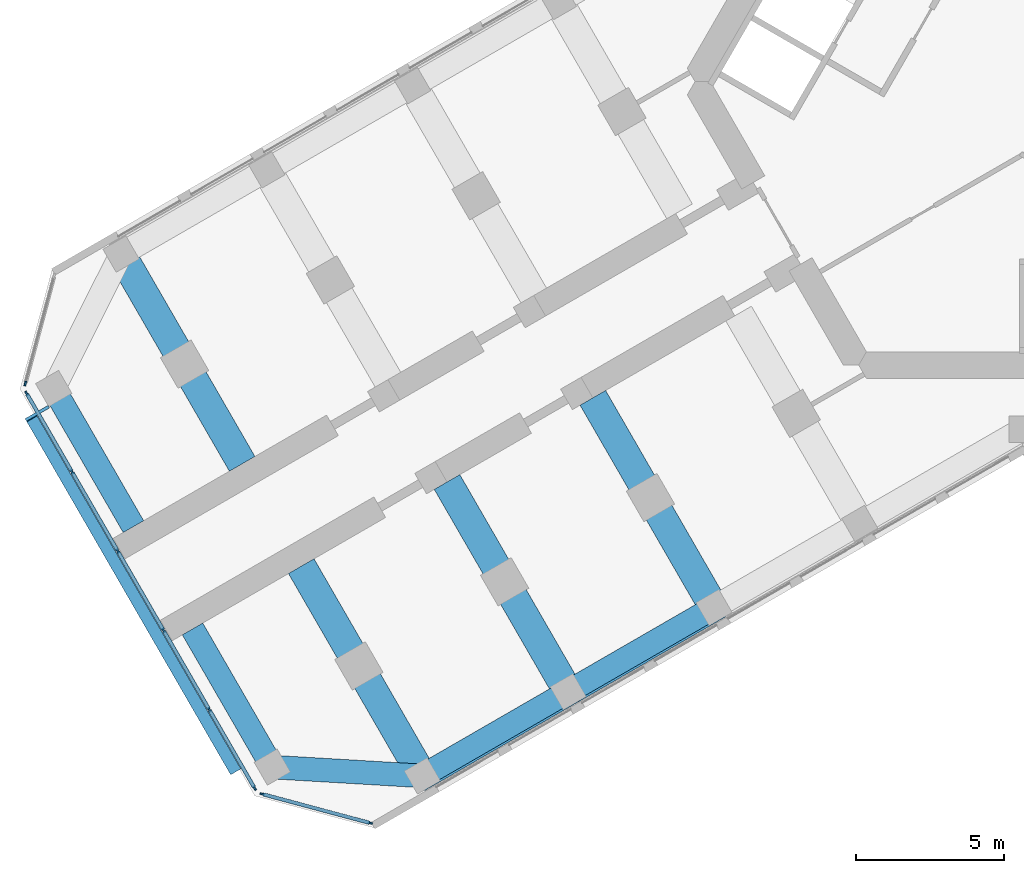
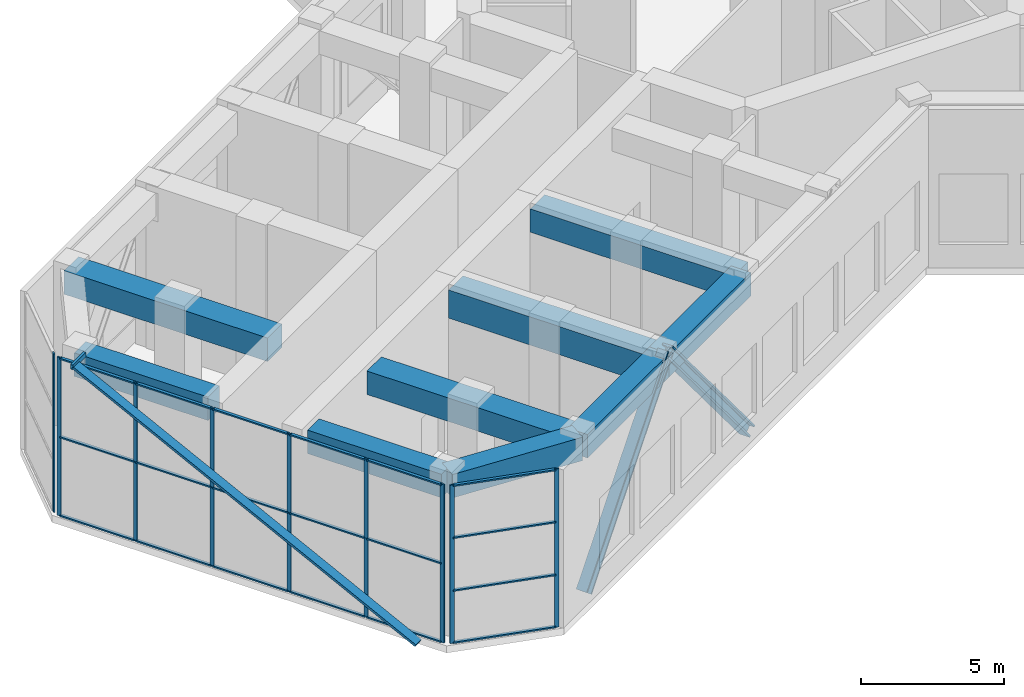
# One storey, part 2 of 15: 32 members, 9 beams, 3 elements without a shape of their own.
"""IFC4 building model written with IfcOpenShell, lengths in metres."""

from ifc_helpers import new_model, si_unit, direction, frame, origin, origin_2d, place, context, subcontext, project, spatial, rectangle, hollow_rectangle, i_section, extrude, material, material_profile, profile_set, type_object, element, aggregate, save


model = new_model("IFC4")

# Units and contexts
model_context = context("Model", 3, precision=1e-05, world=origin(), true_north=direction((0.0, 1.0)))
body_context = subcontext(model_context, "Body", "Model", "MODEL_VIEW")
ifc_project = project(units=[si_unit("LENGTHUNIT", "METRE"), si_unit("AREAUNIT", "SQUARE_METRE"), si_unit("VOLUMEUNIT", "CUBIC_METRE"), si_unit("PLANEANGLEUNIT", "RADIAN"), si_unit("MASSUNIT", "GRAM", prefix="KILO")], contexts=[model_context])

# Site, building, storey
site_placement = place(None, origin())
site = spatial("IfcSite", under=ifc_project, at=site_placement, CompositionType="ELEMENT")
building_placement = place(site_placement, origin())
building = spatial("IfcBuilding", under=site, at=building_placement, Name="Kosmar Iwan School Tower", CompositionType="ELEMENT")
storey_placement = place(building_placement, frame((0.0, 0.0, 186.800048828125)))
storey = spatial("IfcBuildingStorey", under=building, at=storey_placement, Name="L47", CompositionType="ELEMENT", Elevation=186.800048828125)

# Members
ifc_material_1 = material(Name="Steel S355", Category="steel")
ifc_material_profile_1 = material_profile(ifc_material_1, i_section(OverallWidth=0.424072265625, OverallDepth=0.47412109375, WebThickness=0.047607421875, FlangeThickness=0.0771484375, FilletRadius=0.014892578125, at=origin_2d()), Name="HD 400x634")
ifc_profile_set_1 = profile_set([ifc_material_profile_1], Name="Steel S355")
member_type_1 = type_object("IfcMemberType", Name="Belt truss diagonal HD 400x634", PredefinedType="BRACE", material=ifc_profile_set_1)
member_1_placement = place(storey_placement, frame((-10.316162109375, -18.031982421875, 0.0), z_axis=(-0.555216167519, -0.320541981475, 0.767455435473), x_axis=(0.49998570155, -0.866033658841, 0.0)))
element("IfcMember", 1, at=member_1_placement, inside=storey, type_object=member_type_1, Name="Belt truss diagonal BL3", PredefinedType="BRACE", context=body_context, shape_type="SweptSolid", body=[
    extrude(i_section(OverallWidth=0.424072265625, OverallDepth=0.47412109375, WebThickness=0.047607421875, FlangeThickness=0.0771484375, FilletRadius=0.014892578125, at=origin_2d()), origin(), (0.0, 0.0, 1.0), 8.890625),
])
member_2_placement = place(storey_placement, frame((-15.25244140625, -20.8818359375, 6.8232421875), z_axis=(-0.555230274968, -0.320561732442, -0.767436979466), x_axis=(0.499999279071, -0.866025820012, 0.0)))
element("IfcMember", 2, at=member_2_placement, inside=storey, type_object=member_type_1, Name="Belt truss diagonal BL4", PredefinedType="BRACE", context=body_context, shape_type="SweptSolid", body=[
    extrude(i_section(OverallWidth=0.424072265625, OverallDepth=0.47412109375, WebThickness=0.047607421875, FlangeThickness=0.0771484375, FilletRadius=0.014892578125, at=origin_2d()), origin(), (0.0, 0.0, 1.0), 8.890869140625),
])

# Beams
ifc_material_2 = material(Name="Concrete C50/60", Category="concrete")
ifc_material_profile_2 = material_profile(ifc_material_2, rectangle(XDim=0.800048828125, YDim=1.0, at=origin_2d()), Name="RC 800x1000 + HD 400x634")
ifc_profile_set_2 = profile_set([ifc_material_profile_2], Name="Concrete C50/60")
beam_type_1 = type_object("IfcBeamType", Name="Composite edge beam 800x1000 HD 400x634", PredefinedType="BEAM", material=ifc_profile_set_2)
beam_1_placement = place(storey_placement, frame((-10.445068359375, -17.808349609375, 6.25), z_axis=(-0.866025820012, -0.499999279071, 0.0), x_axis=(0.499999279071, -0.866025820012, 0.0)))
element("IfcBeam", 3, at=beam_1_placement, inside=storey, type_object=beam_type_1, Name="Edge beam BL3", PredefinedType="BEAM", context=body_context, shape_type="SweptSolid", body=[
    extrude(rectangle(XDim=0.800048828125, YDim=1.0, at=origin_2d()), origin(), (0.0, 0.0, 1.0), 5.7001953125),
])
beam_2_placement = place(storey_placement, frame((-15.381591796875, -20.658447265625, 6.25), z_axis=(-0.866015111908, -0.50001782563, 0.0), x_axis=(0.50001782563, -0.866015111908, 0.0)))
element("IfcBeam", 4, at=beam_2_placement, inside=storey, type_object=beam_type_1, Name="Edge beam BL4", PredefinedType="BEAM", context=body_context, shape_type="SweptSolid", body=[
    extrude(rectangle(XDim=0.800048828125, YDim=1.0, at=origin_2d()), origin(), (0.0, 0.0, 1.0), 5.699951171875),
])
ifc_material_3 = material(Name="Concrete C50/60", Category="concrete")
ifc_material_profile_3 = material_profile(ifc_material_3, rectangle(XDim=1.0, YDim=1.199951171875, at=origin_2d()), Name="RC 1000x1200 + HD 400x634")
ifc_profile_set_3 = profile_set([ifc_material_profile_3], Name="Concrete C50/60")
beam_type_2 = type_object("IfcBeamType", Name="Composite transfer beam 1000x1200 HD 400x634", PredefinedType="BEAM", material=ifc_profile_set_3)
beam_3_placement = place(storey_placement, frame((-15.381591796875, -20.658447265625, 6.14990234375), z_axis=(-0.49999135188, 0.866030396721, 0.0), x_axis=(-0.866030396721, -0.49999135188, 0.0)))
element("IfcBeam", 5, at=beam_3_placement, inside=storey, type_object=beam_type_2, Name="Transfer beam BL3", PredefinedType="BEAM", context=body_context, shape_type="SweptSolid", body=[
    extrude(rectangle(XDim=1.0, YDim=1.199951171875, at=origin_2d()), origin(), (0.0, 0.0, 1.0), 8.199951171875),
])
ifc_material_4 = material(Name="Concrete C50/60", Category="concrete")
ifc_material_profile_4 = material_profile(ifc_material_4, rectangle(XDim=1.0, YDim=1.0, at=origin_2d()), Name="RC 1000x1000 + HD 400x347")
ifc_profile_set_4 = profile_set([ifc_material_profile_4], Name="Concrete C50/60")
beam_type_3 = type_object("IfcBeamType", Name="Composite transverse beam 1000x1000 HD 400x347", PredefinedType="BEAM", material=ifc_profile_set_4)
for number, where, z_axis, x_axis, name in (
    (6, (-10.445068359375, -17.808349609375, 6.25), (-0.500013681986, 0.866017504342, 0.0), (-0.866017504342, -0.500013681986, 0.0), "Transverse beam BL2"),
    (7, (-20.31787109375, -23.508544921875, 6.25), (-0.499978459874, 0.866037839625, 0.0), (-0.866037839625, -0.499978459874, 0.0), "Transverse beam BL4"),
    (8, (-30.517822265625, -5.841552734375, 6.25), (0.500013681986, -0.866017504342, 0.0), (0.866017504342, 0.500013681986, 0.0), "Transverse beam BR4"),
):
    element("IfcBeam", number, at=place(storey_placement, frame(where, z_axis=z_axis, x_axis=x_axis)), inside=storey, type_object=beam_type_3, Name=name, PredefinedType="BEAM", context=body_context, shape_type="SweptSolid", body=[
        extrude(rectangle(XDim=1.0, YDim=1.0, at=origin_2d()), origin(), (0.0, 0.0, 1.0), 8.199951171875),
    ])

# Members
ifc_material_5 = material(Name="Black anodised aluminium", Category="aluminium")
ifc_material_profile_5 = material_profile(ifc_material_5, rectangle(XDim=0.10009765625, YDim=0.39990234375, at=origin_2d()), Name="FIN 100x400")
ifc_profile_set_5 = profile_set([ifc_material_profile_5], Name="Black anodised aluminium")
member_type_2 = type_object("IfcMemberType", Name="Diagonal fin 100x400", PredefinedType="USERDEFINED", material=ifc_profile_set_5)
member_3_placement = place(storey_placement, frame((-26.645263671875, -23.34912109375, -0.150146484375), z_axis=(-0.445884805648, 0.772309410313, 0.452465374183), x_axis=(0.226229551412, -0.391848318744, 0.891781971765)))
element("IfcMember", 9, at=member_3_placement, inside=storey, type_object=member_type_2, Name="Diagonal fin L47-F13", ObjectType="FIN", PredefinedType="USERDEFINED", context=body_context, shape_type="SweptSolid", body=[
    extrude(rectangle(XDim=0.10009765625, YDim=0.39990234375, at=origin_2d()), origin(), (0.0, 0.0, 1.0), 15.470703125),
])
ifc_material_6 = material(Name="Steel S355", Category="steel")
ifc_material_profile_6 = material_profile(ifc_material_6, hollow_rectangle(XDim=0.10009765625, YDim=0.199951171875, WallThickness=0.008056640625, at=origin_2d()), Name="RHS 200x100x8")
ifc_profile_set_6 = profile_set([ifc_material_profile_6], Name="Steel S355")
member_type_3 = type_object("IfcMemberType", Name="Fin bracket RHS 200x100", PredefinedType="USERDEFINED", material=ifc_profile_set_6)
member_4_placement = place(storey_placement, frame((-32.963134765625, -11.006103515625, 6.875), z_axis=(-0.866081705922, -0.499902469156, 0.0), x_axis=(0.499902469156, -0.866081705922, 0.0)))
element("IfcMember", 10, at=member_4_placement, inside=storey, type_object=member_type_3, Name="Fin bracket L48", ObjectType="FIN BRACKET", PredefinedType="USERDEFINED", context=body_context, shape_type="SweptSolid", body=[
    extrude(hollow_rectangle(XDim=0.10009765625, YDim=0.199951171875, WallThickness=0.008056640625, at=origin_2d()), origin(), (0.0, 0.0, 1.0), 0.900146484375),
])

# Curtain wall, member
ifc_material_7 = material(Name="Dark glass in black aluminium frame", Category="aluminium")
curtain_wall_type_1 = type_object("IfcCurtainWallType", Name="Chamfer curtain wall dark glass", PredefinedType="USERDEFINED", material=ifc_material_7)
curtain_wall_1_placement = place(storey_placement, origin())
curtain_wall_1 = element("IfcCurtainWall", 11, at=curtain_wall_1_placement, inside=storey, type_object=curtain_wall_type_1, Name="Curtain wall L47-F12", ObjectType="FACETED CURTAIN WALL", PredefinedType="USERDEFINED")
ifc_material_8 = material(Name="Black anodised aluminium", Category="aluminium")
ifc_material_profile_7 = material_profile(ifc_material_8, rectangle(XDim=0.06005859375, YDim=0.159912109375, at=origin_2d()), Name="MULLION 60x160")
ifc_profile_set_7 = profile_set([ifc_material_profile_7], Name="Black anodised aluminium")
member_type_4 = type_object("IfcMemberType", Name="Mullion 60x160", PredefinedType="MULLION", material=ifc_profile_set_7)
member_5_placement = place(storey_placement, frame((-33.7587890625, -10.2236328125, 0.0), z_axis=(0.0, 0.0, 1.0), x_axis=(0.965925875495, -0.258818861462, 0.0)))
member_5 = element("IfcMember", 12, at=member_5_placement, type_object=member_type_4, Name="CW2 mullion 2", PredefinedType="MULLION", context=body_context, shape_type="SweptSolid", body=[
    extrude(rectangle(XDim=0.06005859375, YDim=0.159912109375, at=origin_2d()), origin(), (0.0, 0.0, 1.0), 6.75),
])
aggregate(curtain_wall_1, [member_5])

# Curtain wall, members
ifc_material_9 = material(Name="Black aluminium louvres and glass", Category="aluminium")
curtain_wall_type_2 = type_object("IfcCurtainWallType", Name="Plant floor louvred curtain wall", PredefinedType="USERDEFINED", material=ifc_material_9)
curtain_wall_2_placement = place(storey_placement, origin())
curtain_wall_2 = element("IfcCurtainWall", 13, at=curtain_wall_2_placement, inside=storey, type_object=curtain_wall_type_2, Name="Curtain wall L47-F13", ObjectType="LOUVRED CURTAIN WALL", PredefinedType="USERDEFINED")
member_6_placement = place(storey_placement, frame((-33.71533203125, -10.55322265625, 0.0), z_axis=(0.0, 0.0, 1.0), x_axis=(0.866025405329, 0.499999997325, 0.0)))
member_6 = element("IfcMember", 14, at=member_6_placement, type_object=member_type_4, Name="CW4 mullion 1", PredefinedType="MULLION", context=body_context, shape_type="SweptSolid", body=[
    extrude(rectangle(XDim=0.06005859375, YDim=0.159912109375, at=origin_2d()), origin(), (0.0, 0.0, 1.0), 6.75),
])
member_7_placement = place(storey_placement, frame((-32.1806640625, -13.21142578125, 0.0), z_axis=(0.0, 0.0, 1.0), x_axis=(0.866025405329, 0.499999997325, 0.0)))
member_7 = element("IfcMember", 15, at=member_7_placement, type_object=member_type_4, Name="CW4 mullion 2", PredefinedType="MULLION", context=body_context, shape_type="SweptSolid", body=[
    extrude(rectangle(XDim=0.06005859375, YDim=0.159912109375, at=origin_2d()), origin(), (0.0, 0.0, 1.0), 6.75),
])
member_8_placement = place(storey_placement, frame((-30.631103515625, -15.8955078125, 0.0), z_axis=(0.0, 0.0, 1.0), x_axis=(0.866025405329, 0.499999997325, 0.0)))
member_8 = element("IfcMember", 16, at=member_8_placement, type_object=member_type_4, Name="CW4 mullion 3", PredefinedType="MULLION", context=body_context, shape_type="SweptSolid", body=[
    extrude(rectangle(XDim=0.06005859375, YDim=0.159912109375, at=origin_2d()), origin(), (0.0, 0.0, 1.0), 6.75),
])
member_9_placement = place(storey_placement, frame((-29.081298828125, -18.57958984375, 0.0), z_axis=(0.0, 0.0, 1.0), x_axis=(0.866025405329, 0.499999997325, 0.0)))
member_9 = element("IfcMember", 17, at=member_9_placement, type_object=member_type_4, Name="CW4 mullion 4", PredefinedType="MULLION", context=body_context, shape_type="SweptSolid", body=[
    extrude(rectangle(XDim=0.06005859375, YDim=0.159912109375, at=origin_2d()), origin(), (0.0, 0.0, 1.0), 6.75),
])
member_10_placement = place(storey_placement, frame((-27.53173828125, -21.263671875, 0.0), z_axis=(0.0, 0.0, 1.0), x_axis=(0.866025405329, 0.499999997325, 0.0)))
member_10 = element("IfcMember", 18, at=member_10_placement, type_object=member_type_4, Name="CW4 mullion 5", PredefinedType="MULLION", context=body_context, shape_type="SweptSolid", body=[
    extrude(rectangle(XDim=0.06005859375, YDim=0.159912109375, at=origin_2d()), origin(), (0.0, 0.0, 1.0), 6.75),
])
member_11_placement = place(storey_placement, frame((-25.9970703125, -23.921630859375, 0.0), z_axis=(0.0, 0.0, 1.0), x_axis=(0.866025405329, 0.499999997325, 0.0)))
member_11 = element("IfcMember", 19, at=member_11_placement, type_object=member_type_4, Name="CW4 mullion 6", PredefinedType="MULLION", context=body_context, shape_type="SweptSolid", body=[
    extrude(rectangle(XDim=0.06005859375, YDim=0.159912109375, at=origin_2d()), origin(), (0.0, 0.0, 1.0), 6.75),
])

curtain_wall_3_placement = place(storey_placement, origin())
curtain_wall_3 = element("IfcCurtainWall", 20, at=curtain_wall_3_placement, inside=storey, type_object=curtain_wall_type_1, Name="Curtain wall L47-F14", ObjectType="FACETED CURTAIN WALL", PredefinedType="USERDEFINED")
member_12_placement = place(storey_placement, frame((-25.733154296875, -24.124267578125, 0.0), z_axis=(0.0, 0.0, 1.0), x_axis=(0.258818861462, 0.965925875495, 0.0)))
member_12 = element("IfcMember", 21, at=member_12_placement, type_object=member_type_4, Name="CW2 mullion 1", PredefinedType="MULLION", context=body_context, shape_type="SweptSolid", body=[
    extrude(rectangle(XDim=0.06005859375, YDim=0.159912109375, at=origin_2d()), origin(), (0.0, 0.0, 1.0), 6.75),
])
member_13_placement = place(storey_placement, frame((-22.0830078125, -25.102294921875, 0.0), z_axis=(0.0, 0.0, 1.0), x_axis=(0.258818861462, 0.965925875495, 0.0)))
member_13 = element("IfcMember", 22, at=member_13_placement, type_object=member_type_4, Name="CW2 mullion 2", PredefinedType="MULLION", context=body_context, shape_type="SweptSolid", body=[
    extrude(rectangle(XDim=0.06005859375, YDim=0.159912109375, at=origin_2d()), origin(), (0.0, 0.0, 1.0), 6.75),
])

# Beams
ifc_material_10 = material(Name="Concrete C50/60", Category="concrete")
ifc_material_profile_8 = material_profile(ifc_material_10, rectangle(XDim=0.800048828125, YDim=1.0, at=origin_2d()), Name="RC 800x1000")
ifc_profile_set_8 = profile_set([ifc_material_profile_8], Name="Concrete C50/60")
beam_type_4 = type_object("IfcBeamType", Name="RC tip beam 800x1000", PredefinedType="BEAM", material=ifc_profile_set_8)
beam_4_placement = place(storey_placement, frame((-20.31787109375, -23.508544921875, 6.25), z_axis=(-0.998260616478, 0.058955420358, 0.0), x_axis=(-0.058955420358, -0.998260616478, 0.0)))
element("IfcBeam", 23, at=beam_4_placement, inside=storey, type_object=beam_type_4, Name="Tip beam BL", PredefinedType="BEAM", context=body_context, shape_type="SweptSolid", body=[
    extrude(rectangle(XDim=0.800048828125, YDim=1.0, at=origin_2d()), origin(), (0.0, 0.0, 1.0), 5.08935546875),
])
for number, where, z_axis, x_axis, name in (
    (24, (-25.3984375, -23.20849609375, 6.25), (-0.499995103361, 0.866028230842, 0.0), (-0.866028230842, -0.499995103361, 0.0), "Tip beam BL to corridor wall"),
    (25, (-32.79833984375, -10.391357421875, 6.25), (0.499995103361, -0.866028230842, 0.0), (0.866028230842, 0.499995103361, 0.0), "Tip beam BR to corridor wall"),
):
    element("IfcBeam", number, at=place(storey_placement, frame(where, z_axis=z_axis, x_axis=x_axis)), inside=storey, type_object=beam_type_4, Name=name, PredefinedType="BEAM", context=body_context, shape_type="SweptSolid", body=[
        extrude(rectangle(XDim=0.800048828125, YDim=1.0, at=origin_2d()), origin(), (0.0, 0.0, 1.0), 5.39990234375),
    ])

# Member
ifc_material_11 = material(Name="Black anodised aluminium", Category="aluminium")
ifc_material_profile_9 = material_profile(ifc_material_11, rectangle(XDim=0.1201171875, YDim=0.06005859375, at=origin_2d()), Name="TRANSOM 60x120")
ifc_profile_set_9 = profile_set([ifc_material_profile_9], Name="Black anodised aluminium")
member_type_5 = type_object("IfcMemberType", Name="Transom 60x120", PredefinedType="USERDEFINED", material=ifc_profile_set_9)
member_14_placement = place(storey_placement, frame((-33.700439453125, -10.579345703125, 0.030029296875), z_axis=(0.500022102064, -0.866012642776, 0.0), x_axis=(0.866012642776, 0.500022102064, 0.0)))
member_14 = element("IfcMember", 26, at=member_14_placement, type_object=member_type_5, Name="CW4 transom 1.1", ObjectType="TRANSOM", PredefinedType="USERDEFINED", context=body_context, shape_type="SweptSolid", body=[
    extrude(rectangle(XDim=0.1201171875, YDim=0.06005859375, at=origin_2d()), origin(), (0.0, 0.0, 1.0), 3.009033203125),
])

member_15_placement = place(storey_placement, frame((-33.700439453125, -10.579345703125, 3.375), z_axis=(0.500022102064, -0.866012642776, 0.0), x_axis=(0.866012642776, 0.500022102064, 0.0)))
member_15 = element("IfcMember", 27, at=member_15_placement, type_object=member_type_5, Name="CW4 transom 1.2", ObjectType="TRANSOM", PredefinedType="USERDEFINED", context=body_context, shape_type="SweptSolid", body=[
    extrude(rectangle(XDim=0.1201171875, YDim=0.06005859375, at=origin_2d()), origin(), (0.0, 0.0, 1.0), 3.009033203125),
])

member_16_placement = place(storey_placement, frame((-33.700439453125, -10.579345703125, 6.719970703125), z_axis=(0.500022102064, -0.866012642776, 0.0), x_axis=(0.866012642776, 0.500022102064, 0.0)))
member_16 = element("IfcMember", 28, at=member_16_placement, type_object=member_type_5, Name="CW4 transom 1.3", ObjectType="TRANSOM", PredefinedType="USERDEFINED", context=body_context, shape_type="SweptSolid", body=[
    extrude(rectangle(XDim=0.1201171875, YDim=0.06005859375, at=origin_2d()), origin(), (0.0, 0.0, 1.0), 3.009033203125),
])

member_17_placement = place(storey_placement, frame((-32.165771484375, -13.2373046875, 0.030029296875), z_axis=(0.500035348339, -0.866004994449, 0.0), x_axis=(0.866004994449, 0.500035348339, 0.0)))
member_17 = element("IfcMember", 29, at=member_17_placement, type_object=member_type_5, Name="CW4 transom 2.1", ObjectType="TRANSOM", PredefinedType="USERDEFINED", context=body_context, shape_type="SweptSolid", body=[
    extrude(rectangle(XDim=0.1201171875, YDim=0.06005859375, at=origin_2d()), origin(), (0.0, 0.0, 1.0), 3.039306640625),
])

member_18_placement = place(storey_placement, frame((-32.165771484375, -13.2373046875, 3.375), z_axis=(0.500035348339, -0.866004994449, 0.0), x_axis=(0.866004994449, 0.500035348339, 0.0)))
member_18 = element("IfcMember", 30, at=member_18_placement, type_object=member_type_5, Name="CW4 transom 2.2", ObjectType="TRANSOM", PredefinedType="USERDEFINED", context=body_context, shape_type="SweptSolid", body=[
    extrude(rectangle(XDim=0.1201171875, YDim=0.06005859375, at=origin_2d()), origin(), (0.0, 0.0, 1.0), 3.039306640625),
])

member_19_placement = place(storey_placement, frame((-32.165771484375, -13.2373046875, 6.719970703125), z_axis=(0.500035348339, -0.866004994449, 0.0), x_axis=(0.866004994449, 0.500035348339, 0.0)))
member_19 = element("IfcMember", 31, at=member_19_placement, type_object=member_type_5, Name="CW4 transom 2.3", ObjectType="TRANSOM", PredefinedType="USERDEFINED", context=body_context, shape_type="SweptSolid", body=[
    extrude(rectangle(XDim=0.1201171875, YDim=0.06005859375, at=origin_2d()), origin(), (0.0, 0.0, 1.0), 3.039306640625),
])

member_20_placement = place(storey_placement, frame((-30.615966796875, -15.92138671875, 0.030029296875), z_axis=(0.499975102327, -0.866039777986, 0.0), x_axis=(0.866039777986, 0.499975102327, 0.0)))
member_20 = element("IfcMember", 32, at=member_20_placement, type_object=member_type_5, Name="CW4 transom 3.1", ObjectType="TRANSOM", PredefinedType="USERDEFINED", context=body_context, shape_type="SweptSolid", body=[
    extrude(rectangle(XDim=0.1201171875, YDim=0.06005859375, at=origin_2d()), origin(), (0.0, 0.0, 1.0), 3.039306640625),
])

member_21_placement = place(storey_placement, frame((-30.615966796875, -15.92138671875, 3.375), z_axis=(0.499975102327, -0.866039777986, 0.0), x_axis=(0.866039777986, 0.499975102327, 0.0)))
member_21 = element("IfcMember", 33, at=member_21_placement, type_object=member_type_5, Name="CW4 transom 3.2", ObjectType="TRANSOM", PredefinedType="USERDEFINED", context=body_context, shape_type="SweptSolid", body=[
    extrude(rectangle(XDim=0.1201171875, YDim=0.06005859375, at=origin_2d()), origin(), (0.0, 0.0, 1.0), 3.039306640625),
])

member_22_placement = place(storey_placement, frame((-30.615966796875, -15.92138671875, 6.719970703125), z_axis=(0.499975102327, -0.866039777986, 0.0), x_axis=(0.866039777986, 0.499975102327, 0.0)))
member_22 = element("IfcMember", 34, at=member_22_placement, type_object=member_type_5, Name="CW4 transom 3.3", ObjectType="TRANSOM", PredefinedType="USERDEFINED", context=body_context, shape_type="SweptSolid", body=[
    extrude(rectangle(XDim=0.1201171875, YDim=0.06005859375, at=origin_2d()), origin(), (0.0, 0.0, 1.0), 3.039306640625),
])

member_23_placement = place(storey_placement, frame((-29.06640625, -18.60546875, 0.030029296875), z_axis=(0.499975102327, -0.866039777986, 0.0), x_axis=(0.866039777986, 0.499975102327, 0.0)))
member_23 = element("IfcMember", 35, at=member_23_placement, type_object=member_type_5, Name="CW4 transom 4.1", ObjectType="TRANSOM", PredefinedType="USERDEFINED", context=body_context, shape_type="SweptSolid", body=[
    extrude(rectangle(XDim=0.1201171875, YDim=0.06005859375, at=origin_2d()), origin(), (0.0, 0.0, 1.0), 3.039306640625),
])

member_24_placement = place(storey_placement, frame((-29.06640625, -18.60546875, 3.375), z_axis=(0.499975102327, -0.866039777986, 0.0), x_axis=(0.866039777986, 0.499975102327, 0.0)))
member_24 = element("IfcMember", 36, at=member_24_placement, type_object=member_type_5, Name="CW4 transom 4.2", ObjectType="TRANSOM", PredefinedType="USERDEFINED", context=body_context, shape_type="SweptSolid", body=[
    extrude(rectangle(XDim=0.1201171875, YDim=0.06005859375, at=origin_2d()), origin(), (0.0, 0.0, 1.0), 3.039306640625),
])

member_25_placement = place(storey_placement, frame((-29.06640625, -18.60546875, 6.719970703125), z_axis=(0.499975102327, -0.866039777986, 0.0), x_axis=(0.866039777986, 0.499975102327, 0.0)))
member_25 = element("IfcMember", 37, at=member_25_placement, type_object=member_type_5, Name="CW4 transom 4.3", ObjectType="TRANSOM", PredefinedType="USERDEFINED", context=body_context, shape_type="SweptSolid", body=[
    extrude(rectangle(XDim=0.1201171875, YDim=0.06005859375, at=origin_2d()), origin(), (0.0, 0.0, 1.0), 3.039306640625),
])

member_26_placement = place(storey_placement, frame((-27.516845703125, -21.28955078125, 0.030029296875), z_axis=(0.499986971506, -0.866032925658, 0.0), x_axis=(0.866032925658, 0.499986971506, 0.0)))
member_26 = element("IfcMember", 38, at=member_26_placement, type_object=member_type_5, Name="CW4 transom 5.1", ObjectType="TRANSOM", PredefinedType="USERDEFINED", context=body_context, shape_type="SweptSolid", body=[
    extrude(rectangle(XDim=0.1201171875, YDim=0.06005859375, at=origin_2d()), origin(), (0.0, 0.0, 1.0), 3.00927734375),
])

member_27_placement = place(storey_placement, frame((-27.516845703125, -21.28955078125, 3.375), z_axis=(0.499986971506, -0.866032925658, 0.0), x_axis=(0.866032925658, 0.499986971506, 0.0)))
member_27 = element("IfcMember", 39, at=member_27_placement, type_object=member_type_5, Name="CW4 transom 5.2", ObjectType="TRANSOM", PredefinedType="USERDEFINED", context=body_context, shape_type="SweptSolid", body=[
    extrude(rectangle(XDim=0.1201171875, YDim=0.06005859375, at=origin_2d()), origin(), (0.0, 0.0, 1.0), 3.00927734375),
])

member_28_placement = place(storey_placement, frame((-27.516845703125, -21.28955078125, 6.719970703125), z_axis=(0.499986971506, -0.866032925658, 0.0), x_axis=(0.866032925658, 0.499986971506, 0.0)))
member_28 = element("IfcMember", 40, at=member_28_placement, type_object=member_type_5, Name="CW4 transom 5.3", ObjectType="TRANSOM", PredefinedType="USERDEFINED", context=body_context, shape_type="SweptSolid", body=[
    extrude(rectangle(XDim=0.1201171875, YDim=0.06005859375, at=origin_2d()), origin(), (0.0, 0.0, 1.0), 3.00927734375),
])

aggregate(curtain_wall_2, [member_6, member_7, member_8, member_9, member_10, member_11, member_14, member_15, member_16, member_17, member_18, member_19, member_20, member_21, member_22, member_23, member_24, member_25, member_26, member_27, member_28])

member_29_placement = place(storey_placement, frame((-25.704345703125, -24.1318359375, 0.030029296875), z_axis=(0.965923731726, -0.258826861991, 0.0), x_axis=(0.258826861991, 0.965923731726, 0.0)))
member_29 = element("IfcMember", 41, at=member_29_placement, type_object=member_type_5, Name="CW2 transom 1.1", ObjectType="TRANSOM", PredefinedType="USERDEFINED", context=body_context, shape_type="SweptSolid", body=[
    extrude(rectangle(XDim=0.1201171875, YDim=0.06005859375, at=origin_2d()), origin(), (0.0, 0.0, 1.0), 3.71923828125),
])

member_30_placement = place(storey_placement, frame((-25.704345703125, -24.1318359375, 2.25), z_axis=(0.965923731726, -0.258826861991, 0.0), x_axis=(0.258826861991, 0.965923731726, 0.0)))
member_30 = element("IfcMember", 42, at=member_30_placement, type_object=member_type_5, Name="CW2 transom 1.2", ObjectType="TRANSOM", PredefinedType="USERDEFINED", context=body_context, shape_type="SweptSolid", body=[
    extrude(rectangle(XDim=0.1201171875, YDim=0.06005859375, at=origin_2d()), origin(), (0.0, 0.0, 1.0), 3.71923828125),
])

member_31_placement = place(storey_placement, frame((-25.704345703125, -24.1318359375, 4.5), z_axis=(0.965923731726, -0.258826861991, 0.0), x_axis=(0.258826861991, 0.965923731726, 0.0)))
member_31 = element("IfcMember", 43, at=member_31_placement, type_object=member_type_5, Name="CW2 transom 1.3", ObjectType="TRANSOM", PredefinedType="USERDEFINED", context=body_context, shape_type="SweptSolid", body=[
    extrude(rectangle(XDim=0.1201171875, YDim=0.06005859375, at=origin_2d()), origin(), (0.0, 0.0, 1.0), 3.71923828125),
])

member_32_placement = place(storey_placement, frame((-25.704345703125, -24.1318359375, 6.719970703125), z_axis=(0.965923731726, -0.258826861991, 0.0), x_axis=(0.258826861991, 0.965923731726, 0.0)))
member_32 = element("IfcMember", 44, at=member_32_placement, type_object=member_type_5, Name="CW2 transom 1.4", ObjectType="TRANSOM", PredefinedType="USERDEFINED", context=body_context, shape_type="SweptSolid", body=[
    extrude(rectangle(XDim=0.1201171875, YDim=0.06005859375, at=origin_2d()), origin(), (0.0, 0.0, 1.0), 3.71923828125),
])

aggregate(curtain_wall_3, [member_12, member_13, member_29, member_30, member_31, member_32])

save(model, "model.ifc")
